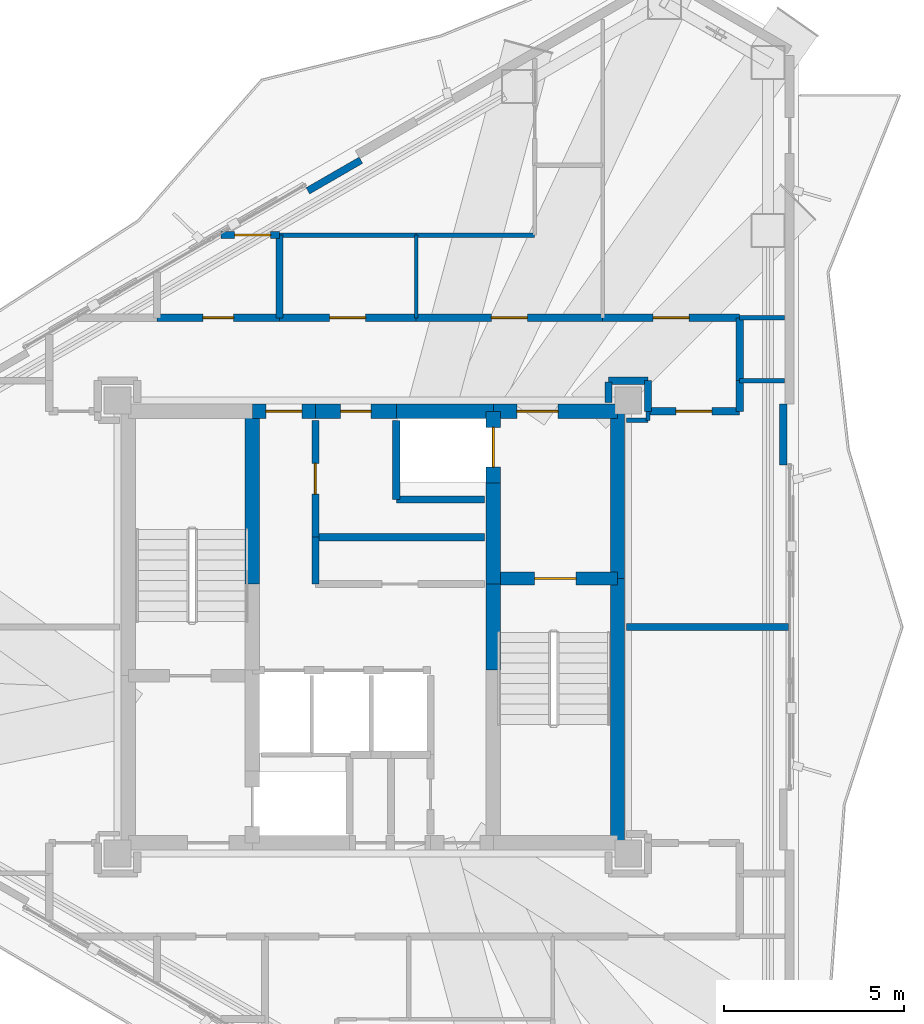
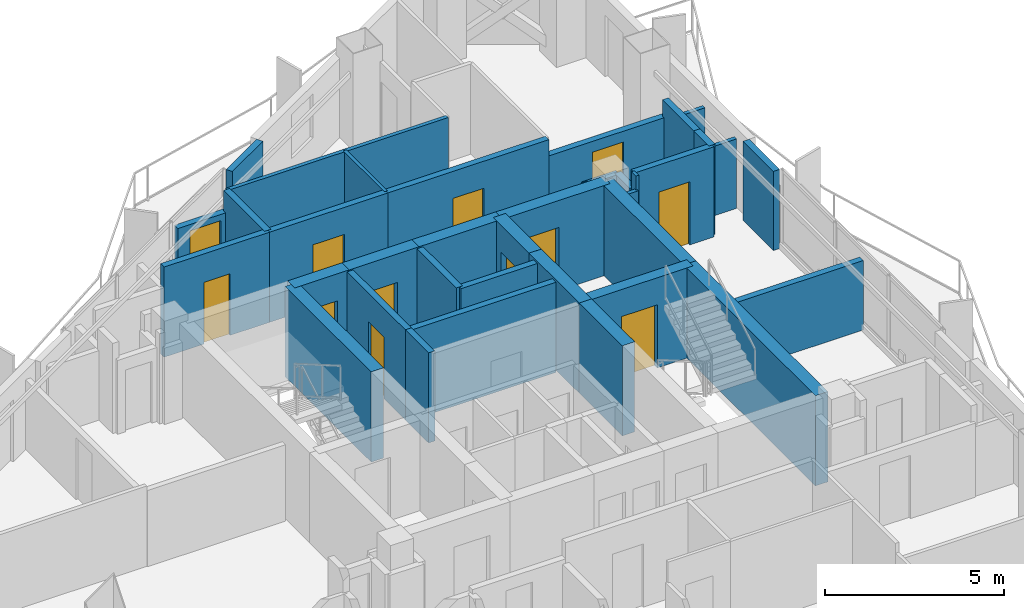
# One storey, part 16 of 19: 38 walls, 12 doors, 12 openings.
"""IFC4 building model written with IfcOpenShell, lengths in metres."""

from ifc_helpers import new_model, si_unit, direction, frame, frame_2d, origin, place, context, subcontext, project, spatial, rectangle, extrude, material, layer, layer_set, type_object, element, fill, save


model = new_model("IFC4")

# Units and contexts
model_context = context("Model", 3, precision=1e-05, world=origin(), true_north=direction((0.0, 1.0)))
body_context = subcontext(model_context, "Body", "Model", "MODEL_VIEW")
ifc_project = project(units=[si_unit("LENGTHUNIT", "METRE"), si_unit("AREAUNIT", "SQUARE_METRE"), si_unit("VOLUMEUNIT", "CUBIC_METRE"), si_unit("PLANEANGLEUNIT", "RADIAN"), si_unit("MASSUNIT", "GRAM", prefix="KILO")], contexts=[model_context])

# Site, building, storey
site_placement = place(None, origin())
site = spatial("IfcSite", under=ifc_project, at=site_placement, CompositionType="ELEMENT")
building_placement = place(site_placement, origin())
building = spatial("IfcBuilding", under=site, at=building_placement, Name="Mersakhor Tower and Convention Hall", CompositionType="ELEMENT")
storey_placement = place(building_placement, frame((0.0, 0.0, 175.5)))
storey = spatial("IfcBuildingStorey", under=building, at=storey_placement, Name="L48", CompositionType="ELEMENT", Elevation=175.5)

# Walls
ifc_material_1 = material(Name="Precast concrete C40/50", Category="concrete")
ifc_layer_1 = layer(ifc_material_1, 0.199951171875)
ifc_layer_set_1 = layer_set([ifc_layer_1], Name="Precast concrete C40/50")
wall_type_1 = type_object("IfcWallType", Name="WL-PAR-200", PredefinedType="PARAPET", material=ifc_layer_set_1)
wall_1_placement = place(storey_placement, frame((27.1923828125, 38.879638671875, 0.0), z_axis=(0.0, 0.0, 1.0), x_axis=(0.866025371046, 0.500000056704, 0.0)))
element("IfcWall", 1, at=wall_1_placement, inside=storey, type_object=wall_type_1, Name="L48 Column Pier Cladding Wall F1-C2", PredefinedType="PARAPET", context=body_context, shape_type="SweptSolid", body=[
    extrude(rectangle(XDim=1.7001953125, YDim=0.199951171875, at=frame_2d((0.85009765625, 0.0))), origin(), (0.0, 0.0, 1.0), 2.68994140625),
])
wall_2_placement = place(storey_placement, frame((40.408447265625, 32.949462890625, 0.0), z_axis=(0.0, 0.0, 1.0), x_axis=(0.0, -1.0, 0.0)))
element("IfcWall", 2, at=wall_2_placement, inside=storey, type_object=wall_type_1, Name="L48 Column Pier Cladding Wall F2-C1", PredefinedType="PARAPET", context=body_context, shape_type="SweptSolid", body=[
    extrude(rectangle(XDim=1.699951171875, YDim=0.199951171875, at=frame_2d((0.85009765625, 0.0))), origin(), (0.0, 0.0, 1.0), 2.68994140625),
])
ifc_material_2 = material(Name="Lightweight gypsum partition", Category="other")
ifc_layer_2 = layer(ifc_material_2, 0.10009765625)
ifc_layer_set_2 = layer_set([ifc_layer_2], Name="Lightweight gypsum partition")
wall_type_2 = type_object("IfcWallType", Name="WL-PRT-100", PredefinedType="PARTITIONING", material=ifc_layer_set_2)
wall_3_placement = place(storey_placement, frame((36.64990234375, 32.5, 0.0), z_axis=(0.0, 0.0, 1.0), x_axis=(0.0, 1.0, 0.0)))
element("IfcWall", 3, at=wall_3_placement, inside=storey, type_object=wall_type_2, Name="L48 Interior Partition Wall P-064", PredefinedType="PARTITIONING", context=body_context, shape_type="SweptSolid", body=[
    extrude(rectangle(XDim=0.25, YDim=0.10009765625, at=frame_2d((0.125, 0.0))), origin(), (0.0, 0.0, 1.0), 3.070068359375),
])
wall_4_placement = place(storey_placement, frame((30.199951171875, 37.64990234375, 0.0), z_axis=(0.0, 0.0, 1.0), x_axis=(0.0, -1.0, 0.0)))
element("IfcWall", 4, at=wall_4_placement, inside=storey, type_object=wall_type_2, Name="L48 Interior Partition Wall P-074", PredefinedType="PARTITIONING", context=body_context, shape_type="SweptSolid", body=[
    extrude(rectangle(XDim=2.2998046875, YDim=0.10009765625, at=frame_2d((1.14990234375, 0.0))), origin(), (0.0, 0.0, 1.0), 3.070068359375),
])
ifc_material_3 = material(Name="Gypsum board acoustic partition", Category="other")
ifc_layer_3 = layer(ifc_material_3, 0.125)
ifc_layer_set_3 = layer_set([ifc_layer_3], Name="Gypsum board acoustic partition")
wall_type_3 = type_object("IfcWallType", Name="WL-PRT-125", PredefinedType="PARTITIONING", material=ifc_layer_set_3)
wall_5_placement = place(storey_placement, frame((36.050048828125, 32.5, 0.0), z_axis=(0.0, 0.0, 1.0), x_axis=(1.0, 0.0, 0.0)))
element("IfcWall", 5, at=wall_5_placement, inside=storey, type_object=wall_type_3, Name="L48 Interior Partition Wall P-063", PredefinedType="PARTITIONING", context=body_context, shape_type="SweptSolid", body=[
    extrude(rectangle(XDim=0.599853515625, YDim=0.125, at=frame_2d((0.2998046875, 0.0))), origin(), (0.0, 0.0, 1.0), 2.594970703125),
])
wall_6_placement = place(storey_placement, frame((39.199951171875, 33.60009765625, 0.0), z_axis=(0.0, 0.0, 1.0), x_axis=(1.0, 0.0, 0.0)))
element("IfcWall", 6, at=wall_6_placement, inside=storey, type_object=wall_type_3, Name="L48 Interior Partition Wall P-065", PredefinedType="PARTITIONING", context=body_context, shape_type="SweptSolid", body=[
    extrude(rectangle(XDim=1.239501953125, YDim=0.125, at=frame_2d((0.61962890625, 0.0))), origin(), (0.0, 0.0, 1.0), 2.364990234375),
])
wall_7_placement = place(storey_placement, frame((26.39990234375, 37.64990234375, 0.0), z_axis=(0.0, 0.0, 1.0), x_axis=(1.0, 0.0, 0.0)))
element("IfcWall", 7, at=wall_7_placement, inside=storey, type_object=wall_type_3, Name="L48 Interior Partition Wall P-073", PredefinedType="PARTITIONING", context=body_context, shape_type="SweptSolid", body=[
    extrude(rectangle(XDim=3.800048828125, YDim=0.125, at=frame_2d((1.89990234375, 0.0))), origin(), (0.0, 0.0, 1.0), 3.070068359375),
])
wall_8_placement = place(storey_placement, frame((33.5, 37.64990234375, 0.0), z_axis=(0.0, 0.0, 1.0), x_axis=(-1.0, 0.0, 0.0)))
element("IfcWall", 8, at=wall_8_placement, inside=storey, type_object=wall_type_3, Name="L48 Interior Partition Wall P-077", PredefinedType="PARTITIONING", context=body_context, shape_type="SweptSolid", body=[
    extrude(rectangle(XDim=3.300048828125, YDim=0.125, at=frame_2d((1.64990234375, 0.0))), origin(), (0.0, 0.0, 1.0), 3.070068359375),
])
wall_9_placement = place(storey_placement, frame((40.439453125, 35.35009765625, 0.0), z_axis=(0.0, 0.0, 1.0), x_axis=(-1.0, 0.0, 0.0)))
element("IfcWall", 9, at=wall_9_placement, inside=storey, type_object=wall_type_3, Name="L48 Interior Partition Wall P-081", PredefinedType="PARTITIONING", context=body_context, shape_type="SweptSolid", body=[
    extrude(rectangle(XDim=1.239501953125, YDim=0.125, at=frame_2d((0.61962890625, 0.0))), origin(), (0.0, 0.0, 1.0), 2.364990234375),
])
ifc_material_4 = material(Name="Acoustic concrete blockwork and gypsum board", Category="masonry")
ifc_layer_4 = layer(ifc_material_4, 0.199951171875)
ifc_layer_set_4 = layer_set([ifc_layer_4], Name="Acoustic concrete blockwork and gypsum board")
wall_type_4 = type_object("IfcWallType", Name="WL-PRT-200", PredefinedType="PARTITIONING", material=ifc_layer_set_4)
wall_10_placement = place(storey_placement, frame((32.10009765625, 30.300048828125, 0.0), z_axis=(0.0, 0.0, 1.0), x_axis=(-1.0, 0.0, 0.0)))
element("IfcWall", 10, at=wall_10_placement, inside=storey, type_object=wall_type_4, Name="L48 Interior Partition Wall P-004", PredefinedType="PARTITIONING", context=body_context, shape_type="SweptSolid", body=[
    extrude(rectangle(XDim=2.4501953125, YDim=0.199951171875, at=frame_2d((1.22509765625, 0.0))), origin(), (0.0, 0.0, 1.0), 3.070068359375),
])
wall_11_placement = place(storey_placement, frame((29.64990234375, 30.300048828125, 0.0), z_axis=(0.0, 0.0, 1.0), x_axis=(0.0, 1.0, 0.0)))
element("IfcWall", 11, at=wall_11_placement, inside=storey, type_object=wall_type_4, Name="L48 Interior Partition Wall P-005", PredefinedType="PARTITIONING", context=body_context, shape_type="SweptSolid", body=[
    extrude(rectangle(XDim=2.199951171875, YDim=0.199951171875, at=frame_2d((1.10009765625, 0.0))), origin(), (0.0, 0.0, 1.0), 3.070068359375),
])

# Wall, opening, door
wall_12_placement = place(storey_placement, frame((27.39990234375, 32.5, 0.0), z_axis=(0.0, 0.0, 1.0), x_axis=(0.0, -1.0, 0.0)))
wall_12 = element("IfcWall", 12, at=wall_12_placement, inside=storey, type_object=wall_type_4, Name="L48 Interior Partition Wall P-013", PredefinedType="PARTITIONING", context=body_context, shape_type="SweptSolid", body=[
    extrude(rectangle(XDim=3.25, YDim=0.199951171875, at=frame_2d((1.625, 0.0))), origin(), (0.0, 0.0, 1.0), 3.070068359375),
])
opening_1_placement = place(wall_12_placement, frame((1.199951171875, 0.0, 0.0)))
opening_1 = element("IfcOpeningElement", 13, at=opening_1_placement, cuts=wall_12, Name="Opening SVD-01", PredefinedType="OPENING", context=body_context, shape_type="SweptSolid", body=[
    extrude(rectangle(XDim=0.85009765625, YDim=2.10009765625, at=frame_2d((0.425048828125, 1.050048828125))), frame((0.0, 0.10986328125, 0.0), z_axis=(0.0, -1.0, 0.0), x_axis=(1.0, 0.0, 0.0)), (0.0, 0.0, 1.0), 0.219970703125),
])
ifc_material_5 = material(Name="Fire-rated hardwood leaf and painted steel frame", Category="steel")
door_type_1 = type_object("IfcDoorType", Name="DR-INT-SVC-085x210", OperationType="NOTDEFINED", PredefinedType="DOOR", material=ifc_material_5)
door_1_placement = place(opening_1_placement, origin())
door_1 = element("IfcDoor", 14, at=door_1_placement, inside=storey, type_object=door_type_1, Name="L48 Central Passenger Lift Lobby to Resident Recycling and Utility Store Door", OperationType="SINGLE_SWING_RIGHT", OverallHeight=2.10009765625, OverallWidth=0.85009765625, PredefinedType="DOOR", context=body_context, shape_type="SweptSolid", body=[
    extrude(rectangle(XDim=0.85009765625, YDim=2.10009765625, at=frame_2d((0.425048828125, 1.050048828125))), frame((0.0, 0.02490234375, 0.0), z_axis=(0.0, -1.0, 0.0), x_axis=(1.0, 0.0, 0.0)), (0.0, 0.0, 1.0), 0.050048828125),
])
fill(opening_1, door_1)

# Walls
wall_13_placement = place(storey_placement, frame((27.39990234375, 29.25, 0.0), z_axis=(0.0, 0.0, 1.0), x_axis=(0.0, -1.0, 0.0)))
element("IfcWall", 15, at=wall_13_placement, inside=storey, type_object=wall_type_4, Name="L48 Interior Partition Wall P-014", PredefinedType="PARTITIONING", context=body_context, shape_type="SweptSolid", body=[
    extrude(rectangle(XDim=1.300048828125, YDim=0.199951171875, at=frame_2d((0.64990234375, 0.0))), origin(), (0.0, 0.0, 1.0), 3.070068359375),
])
wall_14_placement = place(storey_placement, frame((39.199951171875, 35.35009765625, 0.0), z_axis=(0.0, 0.0, 1.0), x_axis=(0.0, -1.0, 0.0)))
element("IfcWall", 16, at=wall_14_placement, inside=storey, type_object=wall_type_4, Name="L48 Interior Partition Wall P-016", PredefinedType="PARTITIONING", context=body_context, shape_type="SweptSolid", body=[
    extrude(rectangle(XDim=1.75, YDim=0.199951171875, at=frame_2d((0.875, 0.0))), origin(), (0.0, 0.0, 1.0), 3.070068359375),
])
wall_15_placement = place(storey_placement, frame((39.199951171875, 33.60009765625, 0.0), z_axis=(0.0, 0.0, 1.0), x_axis=(0.0, -1.0, 0.0)))
element("IfcWall", 17, at=wall_15_placement, inside=storey, type_object=wall_type_4, Name="L48 Interior Partition Wall P-017", PredefinedType="PARTITIONING", context=body_context, shape_type="SweptSolid", body=[
    extrude(rectangle(XDim=0.85009765625, YDim=0.199951171875, at=frame_2d((0.425048828125, 0.0))), origin(), (0.0, 0.0, 1.0), 3.070068359375),
])

# Wall, opening, door
wall_16_placement = place(storey_placement, frame((39.199951171875, 32.75, 0.0), z_axis=(0.0, 0.0, 1.0), x_axis=(-1.0, 0.0, 0.0)))
wall_16 = element("IfcWall", 18, at=wall_16_placement, inside=storey, type_object=wall_type_4, Name="L48 Interior Partition Wall P-018", PredefinedType="PARTITIONING", context=body_context, shape_type="SweptSolid", body=[
    extrude(rectangle(XDim=2.550048828125, YDim=0.199951171875, at=frame_2d((1.27490234375, 0.0))), origin(), (0.0, 0.0, 1.0), 3.070068359375),
])
opening_2_placement = place(wall_16_placement, frame((0.77490234375, 0.0, 0.0)))
opening_2 = element("IfcOpeningElement", 19, at=opening_2_placement, cuts=wall_16, Name="Opening FD-01", PredefinedType="OPENING", context=body_context, shape_type="SweptSolid", body=[
    extrude(rectangle(XDim=1.0, YDim=2.14990234375, at=frame_2d((0.5, 1.074951171875))), frame((0.0, 0.10986328125, 0.0), z_axis=(0.0, -1.0, 0.0), x_axis=(1.0, 0.0, 0.0)), (0.0, 0.0, 1.0), 0.219970703125),
])
ifc_material_6 = material(Name="Fire-rated hardwood leaf and painted steel frame", Category="steel")
door_type_2 = type_object("IfcDoorType", Name="DR-INT-FLT-100x215", OperationType="NOTDEFINED", PredefinedType="DOOR", material=ifc_material_6)
door_2_placement = place(opening_2_placement, origin())
door_2 = element("IfcDoor", 20, at=door_2_placement, inside=storey, type_object=door_type_2, Name="L48 Residential North Gallery Corridor to L48 East Wing Sky Study Lounge Door", OperationType="SINGLE_SWING_LEFT", OverallHeight=2.14990234375, OverallWidth=1.0, PredefinedType="DOOR", context=body_context, shape_type="SweptSolid", body=[
    extrude(rectangle(XDim=1.0, YDim=2.14990234375, at=frame_2d((0.5, 1.074951171875))), frame((0.0, 0.02490234375, 0.0), z_axis=(0.0, -1.0, 0.0), x_axis=(1.0, 0.0, 0.0)), (0.0, 0.0, 1.0), 0.050048828125),
])
fill(opening_2, door_2)

# Walls
wall_17_placement = place(storey_placement, frame((36.64990234375, 32.75, 0.0), z_axis=(0.0, 0.0, 1.0), x_axis=(0.0, 1.0, 0.0)))
element("IfcWall", 21, at=wall_17_placement, inside=storey, type_object=wall_type_4, Name="L48 Interior Partition Wall P-019", PredefinedType="PARTITIONING", context=body_context, shape_type="SweptSolid", body=[
    extrude(rectangle(XDim=0.85009765625, YDim=0.199951171875, at=frame_2d((0.425048828125, 0.0))), origin(), (0.0, 0.0, 1.0), 2.518310546875),
])
wall_18_placement = place(storey_placement, frame((36.64990234375, 33.60009765625, 0.0), z_axis=(0.0, 0.0, 1.0), x_axis=(-1.0, 0.0, 0.0)))
element("IfcWall", 22, at=wall_18_placement, inside=storey, type_object=wall_type_4, Name="L48 Interior Partition Wall P-020", PredefinedType="PARTITIONING", context=body_context, shape_type="SweptSolid", body=[
    extrude(rectangle(XDim=1.099853515625, YDim=0.199951171875, at=frame_2d((0.5498046875, 0.0))), origin(), (0.0, 0.0, 1.0), 2.518310546875),
])
wall_19_placement = place(storey_placement, frame((35.550048828125, 33.570068359375, 0.0), z_axis=(0.0, 0.0, 1.0), x_axis=(0.0, -1.0, 0.0)))
element("IfcWall", 23, at=wall_19_placement, inside=storey, type_object=wall_type_4, Name="L48 Interior Partition Wall P-021", PredefinedType="PARTITIONING", context=body_context, shape_type="SweptSolid", body=[
    extrude(rectangle(XDim=0.570068359375, YDim=0.199951171875, at=frame_2d((0.28515625, 0.0))), origin(), (0.0, 0.0, 1.0), 2.594970703125),
])

# Wall, opening, door
wall_20_placement = place(storey_placement, frame((23.0, 35.35009765625, 0.0), z_axis=(0.0, 0.0, 1.0), x_axis=(1.0, 0.0, 0.0)))
wall_20 = element("IfcWall", 24, at=wall_20_placement, inside=storey, type_object=wall_type_4, Name="L48 Interior Partition Wall P-029", PredefinedType="PARTITIONING", context=body_context, shape_type="SweptSolid", body=[
    extrude(rectangle(XDim=3.39990234375, YDim=0.199951171875, at=frame_2d((1.699951171875, 0.0))), origin(), (0.0, 0.0, 1.0), 3.070068359375),
])
opening_3_placement = place(wall_20_placement, frame((1.27490234375, 0.0, 0.0)))
opening_3 = element("IfcOpeningElement", 25, at=opening_3_placement, cuts=wall_20, Name="Opening SVD-01", PredefinedType="OPENING", context=body_context, shape_type="SweptSolid", body=[
    extrude(rectangle(XDim=0.85009765625, YDim=2.10009765625, at=frame_2d((0.425048828125, 1.050048828125))), frame((0.0, 0.10986328125, 0.0), z_axis=(0.0, -1.0, 0.0), x_axis=(1.0, 0.0, 0.0)), (0.0, 0.0, 1.0), 0.219970703125),
])
door_3_placement = place(opening_3_placement, origin())
door_3 = element("IfcDoor", 26, at=door_3_placement, inside=storey, type_object=door_type_1, Name="L48 Residential North Gallery Corridor to L48 Floor Household Store Room 1-1 Door", OperationType="SINGLE_SWING_RIGHT", OverallHeight=2.10009765625, OverallWidth=0.85009765625, PredefinedType="DOOR", context=body_context, shape_type="SweptSolid", body=[
    extrude(rectangle(XDim=0.85009765625, YDim=2.10009765625, at=frame_2d((0.425048828125, 1.050048828125))), frame((0.0, 0.02490234375, 0.0), z_axis=(0.0, -1.0, 0.0), x_axis=(1.0, 0.0, 0.0)), (0.0, 0.0, 1.0), 0.050048828125),
])
fill(opening_3, door_3)

wall_21_placement = place(storey_placement, frame((26.39990234375, 35.35009765625, 0.0), z_axis=(0.0, 0.0, 1.0), x_axis=(1.0, 0.0, 0.0)))
wall_21 = element("IfcWall", 27, at=wall_21_placement, inside=storey, type_object=wall_type_4, Name="L48 Interior Partition Wall P-030", PredefinedType="PARTITIONING", context=body_context, shape_type="SweptSolid", body=[
    extrude(rectangle(XDim=3.800048828125, YDim=0.199951171875, at=frame_2d((1.89990234375, 0.0))), origin(), (0.0, 0.0, 1.0), 3.070068359375),
])
opening_4_placement = place(wall_21_placement, frame((1.39990234375, 0.0, 0.0)))
opening_4 = element("IfcOpeningElement", 28, at=opening_4_placement, cuts=wall_21, Name="Opening FD-01", PredefinedType="OPENING", context=body_context, shape_type="SweptSolid", body=[
    extrude(rectangle(XDim=1.0, YDim=2.14990234375, at=frame_2d((0.5, 1.074951171875))), frame((0.0, 0.10986328125, 0.0), z_axis=(0.0, -1.0, 0.0), x_axis=(1.0, 0.0, 0.0)), (0.0, 0.0, 1.0), 0.219970703125),
])
door_4_placement = place(opening_4_placement, origin())
door_4 = element("IfcDoor", 29, at=door_4_placement, inside=storey, type_object=door_type_2, Name="L48 Residential North Gallery Corridor to L48 Floor Shared Tea Pantry 1-2 Door", OperationType="SINGLE_SWING_LEFT", OverallHeight=2.14990234375, OverallWidth=1.0, PredefinedType="DOOR", context=body_context, shape_type="SweptSolid", body=[
    extrude(rectangle(XDim=1.0, YDim=2.14990234375, at=frame_2d((0.5, 1.074951171875))), frame((0.0, 0.02490234375, 0.0), z_axis=(0.0, -1.0, 0.0), x_axis=(1.0, 0.0, 0.0)), (0.0, 0.0, 1.0), 0.050048828125),
])
fill(opening_4, door_4)

wall_22_placement = place(storey_placement, frame((30.199951171875, 35.35009765625, 0.0), z_axis=(0.0, 0.0, 1.0), x_axis=(1.0, 0.0, 0.0)))
wall_22 = element("IfcWall", 30, at=wall_22_placement, inside=storey, type_object=wall_type_4, Name="L48 Interior Partition Wall P-031", PredefinedType="PARTITIONING", context=body_context, shape_type="SweptSolid", body=[
    extrude(rectangle(XDim=5.18994140625, YDim=0.199951171875, at=frame_2d((2.594970703125, 0.0))), origin(), (0.0, 0.0, 1.0), 3.070068359375),
])
opening_5_placement = place(wall_22_placement, frame((2.094970703125, 0.0, 0.0)))
opening_5 = element("IfcOpeningElement", 31, at=opening_5_placement, cuts=wall_22, Name="Opening FD-01", PredefinedType="OPENING", context=body_context, shape_type="SweptSolid", body=[
    extrude(rectangle(XDim=1.0, YDim=2.14990234375, at=frame_2d((0.5, 1.074951171875))), frame((0.0, 0.10986328125, 0.0), z_axis=(0.0, -1.0, 0.0), x_axis=(1.0, 0.0, 0.0)), (0.0, 0.0, 1.0), 0.219970703125),
])
door_5_placement = place(opening_5_placement, origin())
door_5 = element("IfcDoor", 32, at=door_5_placement, inside=storey, type_object=door_type_2, Name="L48 Residential North Gallery Corridor to L48 Floor Residents Study Room 1-4 Door", OperationType="SINGLE_SWING_RIGHT", OverallHeight=2.14990234375, OverallWidth=1.0, PredefinedType="DOOR", context=body_context, shape_type="SweptSolid", body=[
    extrude(rectangle(XDim=1.0, YDim=2.14990234375, at=frame_2d((0.5, 1.074951171875))), frame((0.0, 0.02490234375, 0.0), z_axis=(0.0, -1.0, 0.0), x_axis=(1.0, 0.0, 0.0)), (0.0, 0.0, 1.0), 0.050048828125),
])
fill(opening_5, door_5)

wall_23_placement = place(storey_placement, frame((35.389892578125, 35.35009765625, 0.0), z_axis=(0.0, 0.0, 1.0), x_axis=(1.0, 0.0, 0.0)))
wall_23 = element("IfcWall", 33, at=wall_23_placement, inside=storey, type_object=wall_type_4, Name="L48 Interior Partition Wall P-032", PredefinedType="PARTITIONING", context=body_context, shape_type="SweptSolid", body=[
    extrude(rectangle(XDim=3.81005859375, YDim=0.199951171875, at=frame_2d((1.905029296875, 0.0))), origin(), (0.0, 0.0, 1.0), 2.518310546875),
])
opening_6_placement = place(wall_23_placement, frame((1.405029296875, 0.0, 0.0)))
opening_6 = element("IfcOpeningElement", 34, at=opening_6_placement, cuts=wall_23, Name="Opening FD-01", PredefinedType="OPENING", context=body_context, shape_type="SweptSolid", body=[
    extrude(rectangle(XDim=1.0, YDim=2.14990234375, at=frame_2d((0.5, 1.074951171875))), frame((0.0, 0.10986328125, 0.0), z_axis=(0.0, -1.0, 0.0), x_axis=(1.0, 0.0, 0.0)), (0.0, 0.0, 1.0), 0.219970703125),
])
door_6_placement = place(opening_6_placement, origin())
door_6 = element("IfcDoor", 35, at=door_6_placement, inside=storey, type_object=door_type_2, Name="L48 Residential North Gallery Corridor to L48 Floor Residents Study Room 1-6 Door", OperationType="SINGLE_SWING_LEFT", OverallHeight=2.14990234375, OverallWidth=1.0, PredefinedType="DOOR", context=body_context, shape_type="SweptSolid", body=[
    extrude(rectangle(XDim=1.0, YDim=2.14990234375, at=frame_2d((0.5, 1.074951171875))), frame((0.0, 0.02490234375, 0.0), z_axis=(0.0, -1.0, 0.0), x_axis=(1.0, 0.0, 0.0)), (0.0, 0.0, 1.0), 0.050048828125),
])
fill(opening_6, door_6)

# Walls
wall_24_placement = place(storey_placement, frame((32.10009765625, 29.25, 0.0), z_axis=(0.0, 0.0, 1.0), x_axis=(-1.0, 0.0, 0.0)))
element("IfcWall", 36, at=wall_24_placement, inside=storey, type_object=wall_type_4, Name="L48 Interior Partition Wall P-055", PredefinedType="PARTITIONING", context=body_context, shape_type="SweptSolid", body=[
    extrude(rectangle(XDim=4.7001953125, YDim=0.199951171875, at=frame_2d((2.35009765625, 0.0))), origin(), (0.0, 0.0, 1.0), 3.070068359375),
])
wall_25_placement = place(storey_placement, frame((40.55029296875, 26.75, 0.0), z_axis=(0.0, 0.0, 1.0), x_axis=(-1.0, 0.0, 0.0)))
element("IfcWall", 37, at=wall_25_placement, inside=storey, type_object=wall_type_4, Name="L48 Interior Partition Wall P-066", PredefinedType="PARTITIONING", context=body_context, shape_type="SweptSolid", body=[
    extrude(rectangle(XDim=4.500244140625, YDim=0.199951171875, at=frame_2d((2.25, 0.0))), origin(), (0.0, 0.0, 1.0), 2.364990234375),
])

# Wall, opening, door
wall_26_placement = place(storey_placement, frame((24.771484375, 37.64990234375, 0.0), z_axis=(0.0, 0.0, 1.0), x_axis=(1.0, 0.0, 0.0)))
wall_26 = element("IfcWall", 38, at=wall_26_placement, inside=storey, type_object=wall_type_4, Name="L48 Interior Partition Wall P-070", PredefinedType="PARTITIONING", context=body_context, shape_type="SweptSolid", body=[
    extrude(rectangle(XDim=1.62841796875, YDim=0.199951171875, at=frame_2d((0.814208984375, 0.0))), origin(), (0.0, 0.0, 1.0), 2.364990234375),
])
opening_7_placement = place(wall_26_placement, frame((0.384521484375, 0.0, 0.0)))
opening_7 = element("IfcOpeningElement", 39, at=opening_7_placement, cuts=wall_26, Name="Opening FD-01", PredefinedType="OPENING", context=body_context, shape_type="SweptSolid", body=[
    extrude(rectangle(XDim=1.0, YDim=2.14990234375, at=frame_2d((0.5, 1.074951171875))), frame((0.0, 0.10986328125, 0.0), z_axis=(0.0, -1.0, 0.0), x_axis=(1.0, 0.0, 0.0)), (0.0, 0.0, 1.0), 0.219970703125),
])
door_7_placement = place(opening_7_placement, origin())
door_7 = element("IfcDoor", 40, at=door_7_placement, inside=storey, type_object=door_type_2, Name="L48 L48 Floor Household Store Room 1-1 to L48 Floor Residents Study Room 1-3 Door", OperationType="SINGLE_SWING_RIGHT", OverallHeight=2.14990234375, OverallWidth=1.0, PredefinedType="DOOR", context=body_context, shape_type="SweptSolid", body=[
    extrude(rectangle(XDim=1.0, YDim=2.14990234375, at=frame_2d((0.5, 1.074951171875))), frame((0.0, 0.02490234375, 0.0), z_axis=(0.0, -1.0, 0.0), x_axis=(1.0, 0.0, 0.0)), (0.0, 0.0, 1.0), 0.050048828125),
])
fill(opening_7, door_7)

# Wall
wall_27_placement = place(storey_placement, frame((26.39990234375, 37.64990234375, 0.0), z_axis=(0.0, 0.0, 1.0), x_axis=(0.0, -1.0, 0.0)))
element("IfcWall", 41, at=wall_27_placement, inside=storey, type_object=wall_type_4, Name="L48 Interior Partition Wall P-071", PredefinedType="PARTITIONING", context=body_context, shape_type="SweptSolid", body=[
    extrude(rectangle(XDim=2.2998046875, YDim=0.199951171875, at=frame_2d((1.14990234375, 0.0))), origin(), (0.0, 0.0, 1.0), 3.070068359375),
])

# Wall, opening, door
ifc_material_7 = material(Name="Concrete C50/60", Category="concrete")
ifc_layer_5 = layer(ifc_material_7, 0.35009765625)
ifc_layer_set_5 = layer_set([ifc_layer_5], Name="Concrete C50/60")
wall_type_5 = type_object("IfcWallType", Name="WL-SHR-350", PredefinedType="SHEAR", material=ifc_layer_set_5)
wall_28_placement = place(storey_placement, frame((32.35009765625, 28.10009765625, 0.0), z_axis=(0.0, 0.0, 1.0), x_axis=(1.0, 0.0, 0.0)))
wall_28 = element("IfcWall", 42, at=wall_28_placement, inside=storey, type_object=wall_type_5, Name="L48 Core Wall CS-ST2-N", PredefinedType="SHEAR", context=body_context, shape_type="SweptSolid", body=[
    extrude(rectangle(XDim=3.449951171875, YDim=0.35009765625, at=frame_2d((1.72509765625, 0.0))), origin(), (0.0, 0.0, 1.0), 3.070068359375),
])
opening_8_placement = place(wall_28_placement, frame((1.14990234375, 0.0, 0.0)))
opening_8 = element("IfcOpeningElement", 43, at=opening_8_placement, cuts=wall_28, Name="Opening SD-01", PredefinedType="OPENING", context=body_context, shape_type="SweptSolid", body=[
    extrude(rectangle(XDim=1.14990234375, YDim=2.14990234375, at=frame_2d((0.574951171875, 1.074951171875))), frame((0.0, 0.18505859375, 0.0), z_axis=(0.0, -1.0, 0.0), x_axis=(1.0, 0.0, 0.0)), (0.0, 0.0, 1.0), 0.3701171875),
])
ifc_material_8 = material(Name="Fire-rated hardwood leaf and painted steel frame", Category="steel")
door_type_3 = type_object("IfcDoorType", Name="DR-INT-STAIR-115x215", OperationType="NOTDEFINED", PredefinedType="DOOR", material=ifc_material_8)
door_8_placement = place(opening_8_placement, origin())
door_8 = element("IfcDoor", 44, at=door_8_placement, inside=storey, type_object=door_type_3, Name="L48 Exit Stair ST-2 Enclosure Door", OperationType="SINGLE_SWING_RIGHT", OverallHeight=2.14990234375, OverallWidth=1.14990234375, PredefinedType="DOOR", context=body_context, shape_type="SweptSolid", body=[
    extrude(rectangle(XDim=1.14990234375, YDim=2.14990234375, at=frame_2d((0.574951171875, 1.074951171875))), frame((0.0, 0.02490234375, 0.0), z_axis=(0.0, -1.0, 0.0), x_axis=(1.0, 0.0, 0.0)), (0.0, 0.0, 1.0), 0.050048828125),
])
fill(opening_8, door_8)

ifc_material_9 = material(Name="Concrete C60/75", Category="concrete")
ifc_layer_6 = layer(ifc_material_9, 0.39990234375)
ifc_layer_set_6 = layer_set([ifc_layer_6], Name="Concrete C60/75")
wall_type_6 = type_object("IfcWallType", Name="WL-SHR-400", PredefinedType="SHEAR", material=ifc_layer_set_6)
wall_29_placement = place(storey_placement, frame((25.64990234375, 32.75, 0.0), z_axis=(0.0, 0.0, 1.0), x_axis=(1.0, 0.0, 0.0)))
wall_29 = element("IfcWall", 45, at=wall_29_placement, inside=storey, type_object=wall_type_6, Name="L48 Core Wall CW-N2A", PredefinedType="SHEAR", context=body_context, shape_type="SweptSolid", body=[
    extrude(rectangle(XDim=1.75, YDim=0.39990234375, at=frame_2d((0.875, 0.0))), origin(), (0.0, 0.0, 1.0), 3.070068359375),
])
opening_9_placement = place(wall_29_placement, frame((0.375, 0.0, 0.0)))
opening_9 = element("IfcOpeningElement", 46, at=opening_9_placement, cuts=wall_29, Name="Opening CFD-01", PredefinedType="OPENING", context=body_context, shape_type="SweptSolid", body=[
    extrude(rectangle(XDim=1.0, YDim=2.14990234375, at=frame_2d((0.5, 1.074951171875))), frame((0.0, 0.2099609375, 0.0), z_axis=(0.0, -1.0, 0.0), x_axis=(1.0, 0.0, 0.0)), (0.0, 0.0, 1.0), 0.419921875),
])
ifc_material_10 = material(Name="Fire-rated hardwood leaf and painted steel frame", Category="steel")
door_type_4 = type_object("IfcDoorType", Name="DR-CORE-FD-100x215", OperationType="NOTDEFINED", PredefinedType="DOOR", material=ifc_material_10)
door_9_placement = place(opening_9_placement, origin())
door_9 = element("IfcDoor", 47, at=door_9_placement, inside=storey, type_object=door_type_4, Name="L48 Lift Lobby North Corridor Door", OperationType="SINGLE_SWING_LEFT", OverallHeight=2.14990234375, OverallWidth=1.0, PredefinedType="DOOR", context=body_context, shape_type="SweptSolid", body=[
    extrude(rectangle(XDim=1.0, YDim=2.14990234375, at=frame_2d((0.5, 1.074951171875))), frame((0.0, 0.02490234375, 0.0), z_axis=(0.0, -1.0, 0.0), x_axis=(1.0, 0.0, 0.0)), (0.0, 0.0, 1.0), 0.050048828125),
])
fill(opening_9, door_9)

wall_30_placement = place(storey_placement, frame((27.39990234375, 32.75, 0.0), z_axis=(0.0, 0.0, 1.0), x_axis=(1.0, 0.0, 0.0)))
wall_30 = element("IfcWall", 48, at=wall_30_placement, inside=storey, type_object=wall_type_6, Name="L48 Core Wall CW-N2B", PredefinedType="SHEAR", context=body_context, shape_type="SweptSolid", body=[
    extrude(rectangle(XDim=2.25, YDim=0.39990234375, at=frame_2d((1.125, 0.0))), origin(), (0.0, 0.0, 1.0), 3.070068359375),
])
opening_10_placement = place(wall_30_placement, frame((0.699951171875, 0.0, 0.0)))
opening_10 = element("IfcOpeningElement", 49, at=opening_10_placement, cuts=wall_30, Name="Opening SVD-01", PredefinedType="OPENING", context=body_context, shape_type="SweptSolid", body=[
    extrude(rectangle(XDim=0.85009765625, YDim=2.10009765625, at=frame_2d((0.425048828125, 1.050048828125))), frame((0.0, 0.2099609375, 0.0), z_axis=(0.0, -1.0, 0.0), x_axis=(1.0, 0.0, 0.0)), (0.0, 0.0, 1.0), 0.419921875),
])
door_10_placement = place(opening_10_placement, origin())
door_10 = element("IfcDoor", 50, at=door_10_placement, inside=storey, type_object=door_type_1, Name="L48 Residential North Gallery Corridor to Resident Recycling and Utility Store Door", OperationType="SINGLE_SWING_RIGHT", OverallHeight=2.10009765625, OverallWidth=0.85009765625, PredefinedType="DOOR", context=body_context, shape_type="SweptSolid", body=[
    extrude(rectangle(XDim=0.85009765625, YDim=2.10009765625, at=frame_2d((0.425048828125, 1.050048828125))), frame((0.0, 0.02490234375, 0.0), z_axis=(0.0, -1.0, 0.0), x_axis=(1.0, 0.0, 0.0)), (0.0, 0.0, 1.0), 0.050048828125),
])
fill(opening_10, door_10)

# Wall
wall_31_placement = place(storey_placement, frame((29.64990234375, 32.75, 0.0), z_axis=(0.0, 0.0, 1.0), x_axis=(1.0, 0.0, 0.0)))
element("IfcWall", 51, at=wall_31_placement, inside=storey, type_object=wall_type_6, Name="L48 Core Wall CW-N3", PredefinedType="SHEAR", context=body_context, shape_type="SweptSolid", body=[
    extrude(rectangle(XDim=2.7001953125, YDim=0.39990234375, at=frame_2d((1.35009765625, 0.0))), origin(), (0.0, 0.0, 1.0), 3.070068359375),
])

# Wall, opening, door
wall_32_placement = place(storey_placement, frame((32.35009765625, 32.75, 0.0), z_axis=(0.0, 0.0, 1.0), x_axis=(1.0, 0.0, 0.0)))
wall_32 = element("IfcWall", 52, at=wall_32_placement, inside=storey, type_object=wall_type_6, Name="L48 Core Wall CW-N4", PredefinedType="SHEAR", context=body_context, shape_type="SweptSolid", body=[
    extrude(rectangle(XDim=3.449951171875, YDim=0.39990234375, at=frame_2d((1.72509765625, 0.0))), origin(), (0.0, 0.0, 1.0), 3.070068359375),
])
opening_11_placement = place(wall_32_placement, frame((0.64990234375, 0.0, 0.0)))
opening_11 = element("IfcOpeningElement", 53, at=opening_11_placement, cuts=wall_32, Name="Opening SD-01", PredefinedType="OPENING", context=body_context, shape_type="SweptSolid", body=[
    extrude(rectangle(XDim=1.14990234375, YDim=2.14990234375, at=frame_2d((0.574951171875, 1.074951171875))), frame((0.0, 0.2099609375, 0.0), z_axis=(0.0, -1.0, 0.0), x_axis=(1.0, 0.0, 0.0)), (0.0, 0.0, 1.0), 0.419921875),
])
door_11_placement = place(opening_11_placement, origin())
door_11 = element("IfcDoor", 54, at=door_11_placement, inside=storey, type_object=door_type_3, Name="L48 Firefighting Lobby East Fire Door", OperationType="SINGLE_SWING_RIGHT", OverallHeight=2.14990234375, OverallWidth=1.14990234375, PredefinedType="DOOR", context=body_context, shape_type="SweptSolid", body=[
    extrude(rectangle(XDim=1.14990234375, YDim=2.14990234375, at=frame_2d((0.574951171875, 1.074951171875))), frame((0.0, 0.02490234375, 0.0), z_axis=(0.0, -1.0, 0.0), x_axis=(1.0, 0.0, 0.0)), (0.0, 0.0, 1.0), 0.050048828125),
])
fill(opening_11, door_11)

# Walls
wall_33_placement = place(storey_placement, frame((35.800048828125, 32.75, 0.0), z_axis=(0.0, 0.0, 1.0), x_axis=(0.0, -1.0, 0.0)))
element("IfcWall", 55, at=wall_33_placement, inside=storey, type_object=wall_type_6, Name="L48 Core Wall CW-E1", PredefinedType="SHEAR", context=body_context, shape_type="SweptSolid", body=[
    extrude(rectangle(XDim=4.64990234375, YDim=0.39990234375, at=frame_2d((2.324951171875, 0.0))), origin(), (0.0, 0.0, 1.0), 3.070068359375),
])
wall_34_placement = place(storey_placement, frame((35.800048828125, 28.10009765625, 0.0), z_axis=(0.0, 0.0, 1.0), x_axis=(0.0, -1.0, 0.0)))
element("IfcWall", 56, at=wall_34_placement, inside=storey, type_object=wall_type_6, Name="L48 Core Wall CW-E2", PredefinedType="SHEAR", context=body_context, shape_type="SweptSolid", body=[
    extrude(rectangle(XDim=7.35009765625, YDim=0.39990234375, at=frame_2d((3.675048828125, 0.0))), origin(), (0.0, 0.0, 1.0), 3.070068359375),
])
wall_35_placement = place(storey_placement, frame((25.64990234375, 27.949951171875, 0.0), z_axis=(0.0, 0.0, 1.0), x_axis=(0.0, 1.0, 0.0)))
element("IfcWall", 57, at=wall_35_placement, inside=storey, type_object=wall_type_6, Name="L48 Core Wall CS-W-ST1", PredefinedType="SHEAR", context=body_context, shape_type="SweptSolid", body=[
    extrude(rectangle(XDim=4.800048828125, YDim=0.39990234375, at=frame_2d((2.39990234375, 0.0))), origin(), (0.0, 0.0, 1.0), 3.070068359375),
])
wall_36_placement = place(storey_placement, frame((32.35009765625, 25.550048828125, 0.0), z_axis=(0.0, 0.0, 1.0), x_axis=(0.0, 1.0, 0.0)))
element("IfcWall", 58, at=wall_36_placement, inside=storey, type_object=wall_type_6, Name="L48 Core Wall CS-E-LOB", PredefinedType="SHEAR", context=body_context, shape_type="SweptSolid", body=[
    extrude(rectangle(XDim=2.39990234375, YDim=0.39990234375, at=frame_2d((1.199951171875, 0.0))), origin(), (0.0, 0.0, 1.0), 3.070068359375),
])
wall_37_placement = place(storey_placement, frame((32.35009765625, 27.949951171875, 0.0), z_axis=(0.0, 0.0, 1.0), x_axis=(0.0, 1.0, 0.0)))
element("IfcWall", 59, at=wall_37_placement, inside=storey, type_object=wall_type_6, Name="L48 Core Wall CS-E-MID", PredefinedType="SHEAR", context=body_context, shape_type="SweptSolid", body=[
    extrude(rectangle(XDim=2.800048828125, YDim=0.39990234375, at=frame_2d((1.39990234375, 0.0))), origin(), (0.0, 0.0, 1.0), 3.070068359375),
])

# Wall, opening, door
wall_38_placement = place(storey_placement, frame((32.35009765625, 30.75, 0.0), z_axis=(0.0, 0.0, 1.0), x_axis=(0.0, 1.0, 0.0)))
wall_38 = element("IfcWall", 60, at=wall_38_placement, inside=storey, type_object=wall_type_6, Name="L48 Core Wall CS-E-FFL", PredefinedType="SHEAR", context=body_context, shape_type="SweptSolid", body=[
    extrude(rectangle(XDim=2.0, YDim=0.39990234375, at=frame_2d((1.0, 0.0))), origin(), (0.0, 0.0, 1.0), 3.070068359375),
])
opening_12_placement = place(wall_38_placement, frame((0.449951171875, 0.0, 0.0)))
opening_12 = element("IfcOpeningElement", 61, at=opening_12_placement, cuts=wall_38, Name="Opening LD-FFL2", PredefinedType="OPENING", context=body_context, shape_type="SweptSolid", body=[
    extrude(rectangle(XDim=1.10009765625, YDim=2.14990234375, at=frame_2d((0.550048828125, 1.074951171875))), frame((0.0, 0.2099609375, 0.0), z_axis=(0.0, -1.0, 0.0), x_axis=(1.0, 0.0, 0.0)), (0.0, 0.0, 1.0), 0.419921875),
])
ifc_material_11 = material(Name="Fire-rated brushed stainless steel sliding landing door", Category="steel")
door_type_5 = type_object("IfcDoorType", Name="DR-LIFT-SLD-110x215", OperationType="NOTDEFINED", PredefinedType="DOOR", material=ifc_material_11)
door_12_placement = place(opening_12_placement, origin())
door_12 = element("IfcDoor", 62, at=door_12_placement, inside=storey, type_object=door_type_5, Name="L48 Firefighting Lift Landing Door LD-FFL2", OperationType="SLIDING_TO_LEFT", OverallHeight=2.14990234375, OverallWidth=1.10009765625, PredefinedType="DOOR", context=body_context, shape_type="SweptSolid", body=[
    extrude(rectangle(XDim=1.10009765625, YDim=2.14990234375, at=frame_2d((0.550048828125, 1.074951171875))), frame((0.0, 0.02490234375, 0.0), z_axis=(0.0, -1.0, 0.0), x_axis=(1.0, 0.0, 0.0)), (0.0, 0.0, 1.0), 0.050048828125),
])
fill(opening_12, door_12)

save(model, "model.ifc")
